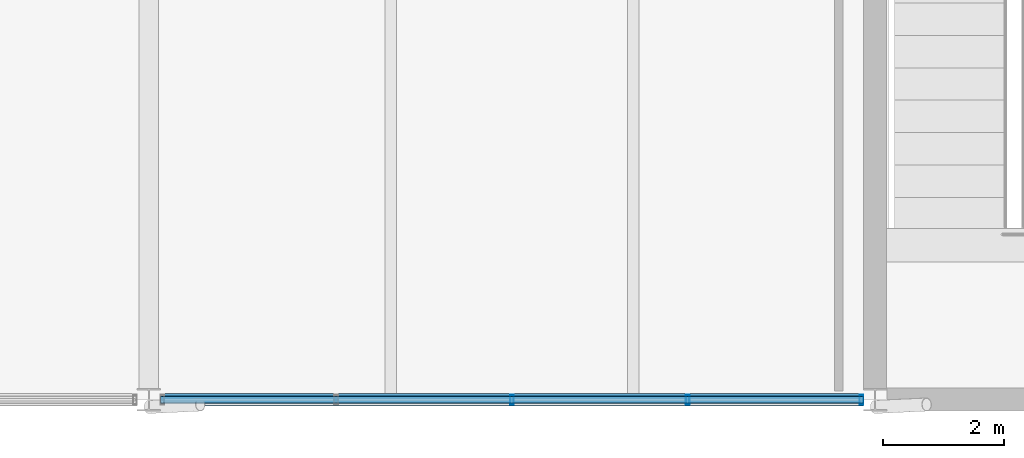
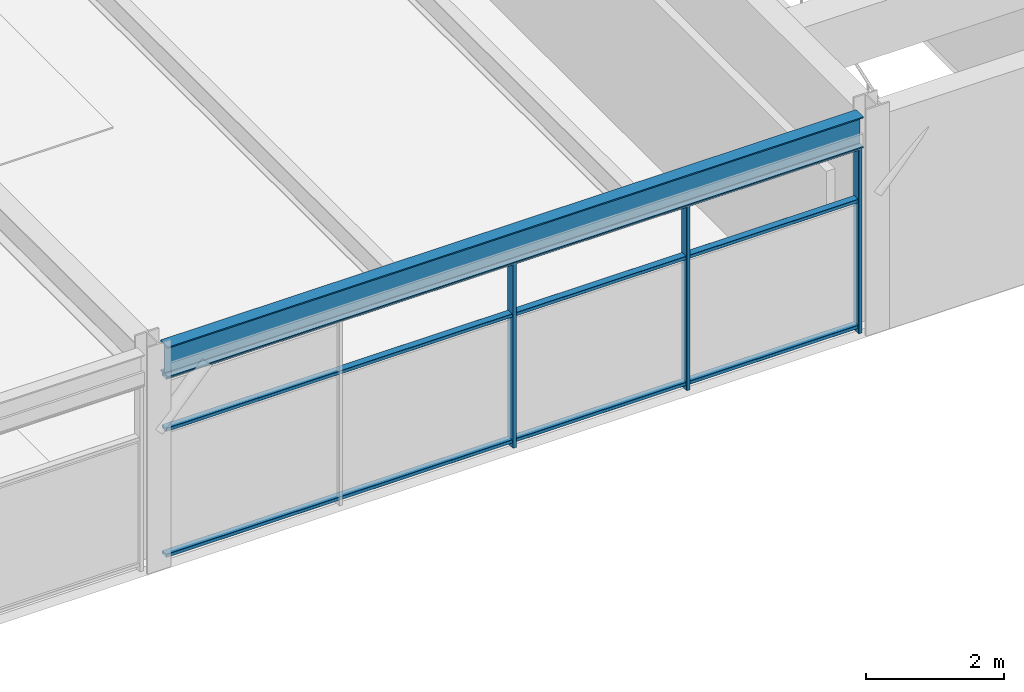
# One storey, part 14 of 51: 6 members, 1 beam, 1 element without a shape of its own.
"""IFC4 building model written with IfcOpenShell, lengths in metres."""

from ifc_helpers import new_model, si_unit, direction, frame, origin, origin_2d, place, context, subcontext, project, spatial, hollow_rectangle, i_section, extrude, material, material_profile, profile_set, type_object, element, aggregate, save


model = new_model("IFC4")

# Units and contexts
model_context = context("Model", 3, precision=1e-05, world=origin(), true_north=direction((0.0, 1.0)))
body_context = subcontext(model_context, "Body", "Model", "MODEL_VIEW")
ifc_project = project(units=[si_unit("LENGTHUNIT", "METRE"), si_unit("AREAUNIT", "SQUARE_METRE"), si_unit("VOLUMEUNIT", "CUBIC_METRE"), si_unit("PLANEANGLEUNIT", "RADIAN"), si_unit("MASSUNIT", "GRAM", prefix="KILO")], contexts=[model_context])

# Site, building, storey
site_placement = place(None, origin())
site = spatial("IfcSite", under=ifc_project, at=site_placement, CompositionType="ELEMENT")
building_placement = place(site_placement, origin())
building = spatial("IfcBuilding", under=site, at=building_placement, Name="Girod Span Mobility Hub", CompositionType="ELEMENT")
storey_placement = place(building_placement, frame((0.0, 0.0, 41.60009765625)))
storey = spatial("IfcBuildingStorey", under=building, at=storey_placement, Name="L10", CompositionType="ELEMENT", Elevation=41.60009765625)

# Beam
ifc_material_1 = material(Name="Steel A992 Grade 50", Category="steel")
ifc_material_profile_1 = material_profile(ifc_material_1, i_section(OverallWidth=0.2119140625, OverallDepth=0.5439453125, WebThickness=0.01318359375, FlangeThickness=0.021240234375, FilletRadius=0.014892578125, at=origin_2d()), Name="W21X83")
ifc_profile_set_1 = profile_set([ifc_material_profile_1], Name="Steel A992 Grade 50")
beam_type = type_object("IfcBeamType", Name="BM-STL-W21X83", PredefinedType="SPANDREL", material=ifc_profile_set_1)
beam_placement = place(storey_placement, frame((60.194091796875, 27.0, 3.552978515625), z_axis=(1.0, 0.0, 0.0), x_axis=(0.0, 1.0, 0.0)))
element("IfcBeam", 1, at=beam_placement, inside=storey, type_object=beam_type, Name="Girder 6-7/C L10", PredefinedType="SPANDREL", context=body_context, shape_type="SweptSolid", body=[
    extrude(i_section(OverallWidth=0.2119140625, OverallDepth=0.5439453125, WebThickness=0.01318359375, FlangeThickness=0.021240234375, FilletRadius=0.014892578125, at=origin_2d()), origin(), (0.0, 0.0, 1.0), 11.61181640625),
])

# Curtain wall, members
ifc_material_2 = material(Name="Thermally Broken Anodised Aluminium", Category="aluminium")
curtain_wall_type = type_object("IfcCurtainWallType", Name="CW-1161X328", PredefinedType="USERDEFINED", material=ifc_material_2)
curtain_wall_placement = place(storey_placement, origin())
curtain_wall = element("IfcCurtainWall", 2, at=curtain_wall_placement, inside=storey, type_object=curtain_wall_type, Name="Unitised Curtain Wall CW-L10-S06 L10", ObjectType="UNITISED CURTAIN WALL", PredefinedType="USERDEFINED")
ifc_material_3 = material(Name="Thermally Broken Anodised Aluminium", Category="aluminium")
ifc_material_profile_2 = material_profile(ifc_material_3, hollow_rectangle(XDim=0.159912109375, YDim=0.06005859375, WallThickness=0.00341796875, InnerFilletRadius=0.00341796875, OuterFilletRadius=0.007080078125, at=origin_2d()), Name="CW-ML-60X160")
ifc_profile_set_2 = profile_set([ifc_material_profile_2], Name="Thermally Broken Anodised Aluminium")
member_type_1 = type_object("IfcMemberType", Name="CWM-ML-3", PredefinedType="MULLION", material=ifc_profile_set_2)
member_1_placement = place(storey_placement, frame((66.0, 27.0, 0.0), z_axis=(0.0, 0.0, 1.0), x_axis=(0.0, 1.0, 0.0)))
member_1 = element("IfcMember", 3, at=member_1_placement, type_object=member_type_1, Name="Curtain Wall Mullion CW-L10-S06-M2", PredefinedType="MULLION", context=body_context, shape_type="SweptSolid", body=[
    extrude(hollow_rectangle(XDim=0.159912109375, YDim=0.06005859375, WallThickness=0.00341796875, InnerFilletRadius=0.00341796875, OuterFilletRadius=0.007080078125, at=origin_2d()), origin(), (0.0, 0.0, 1.0), 3.281005859375),
])
member_2_placement = place(storey_placement, frame((68.902587890625, 27.0, 0.0), z_axis=(0.0, 0.0, 1.0), x_axis=(0.0, 1.0, 0.0)))
member_2 = element("IfcMember", 4, at=member_2_placement, type_object=member_type_1, Name="Curtain Wall Mullion CW-L10-S06-M3", PredefinedType="MULLION", context=body_context, shape_type="SweptSolid", body=[
    extrude(hollow_rectangle(XDim=0.159912109375, YDim=0.06005859375, WallThickness=0.00341796875, InnerFilletRadius=0.00341796875, OuterFilletRadius=0.007080078125, at=origin_2d()), origin(), (0.0, 0.0, 1.0), 3.281005859375),
])
member_3_placement = place(storey_placement, frame((71.77294921875, 27.0, 0.0), z_axis=(0.0, 0.0, 1.0), x_axis=(0.0, 1.0, 0.0)))
member_3 = element("IfcMember", 5, at=member_3_placement, type_object=member_type_1, Name="Curtain Wall Mullion CW-L10-S06-M4", PredefinedType="MULLION", context=body_context, shape_type="SweptSolid", body=[
    extrude(hollow_rectangle(XDim=0.159912109375, YDim=0.06005859375, WallThickness=0.00341796875, InnerFilletRadius=0.00341796875, OuterFilletRadius=0.007080078125, at=origin_2d()), origin(), (0.0, 0.0, 1.0), 3.281005859375),
])
ifc_material_4 = material(Name="Thermally Broken Anodised Aluminium", Category="aluminium")
ifc_material_profile_3 = material_profile(ifc_material_4, hollow_rectangle(XDim=0.1201171875, YDim=0.06005859375, WallThickness=0.00341796875, InnerFilletRadius=0.00341796875, OuterFilletRadius=0.007080078125, at=origin_2d()), Name="CW-TR-60X120")
ifc_profile_set_3 = profile_set([ifc_material_profile_3], Name="Thermally Broken Anodised Aluminium")
member_type_2 = type_object("IfcMemberType", Name="CWM-TR-3", PredefinedType="USERDEFINED", material=ifc_profile_set_3)
member_4_placement = place(storey_placement, frame((60.195068359375, 27.0, 0.10986328125), z_axis=(1.0, 0.0, 0.0), x_axis=(0.0, 1.0, 0.0)))
member_4 = element("IfcMember", 6, at=member_4_placement, type_object=member_type_2, Name="Curtain Wall Transom CW-L10-S06-T1", ObjectType="TRANSOM", PredefinedType="USERDEFINED", context=body_context, shape_type="SweptSolid", body=[
    extrude(hollow_rectangle(XDim=0.1201171875, YDim=0.06005859375, WallThickness=0.00341796875, InnerFilletRadius=0.00341796875, OuterFilletRadius=0.007080078125, at=origin_2d()), origin(), (0.0, 0.0, 1.0), 11.60986328125),
])
member_5_placement = place(storey_placement, frame((60.195068359375, 27.0, 2.332275390625), z_axis=(1.0, 0.0, 0.0), x_axis=(0.0, 1.0, 0.0)))
member_5 = element("IfcMember", 7, at=member_5_placement, type_object=member_type_2, Name="Curtain Wall Transom CW-L10-S06-T2", ObjectType="TRANSOM", PredefinedType="USERDEFINED", context=body_context, shape_type="SweptSolid", body=[
    extrude(hollow_rectangle(XDim=0.1201171875, YDim=0.06005859375, WallThickness=0.00341796875, InnerFilletRadius=0.00341796875, OuterFilletRadius=0.007080078125, at=origin_2d()), origin(), (0.0, 0.0, 1.0), 11.60986328125),
])
member_6_placement = place(storey_placement, frame((60.195068359375, 27.0, 3.2509765625), z_axis=(1.0, 0.0, 0.0), x_axis=(0.0, 1.0, 0.0)))
member_6 = element("IfcMember", 8, at=member_6_placement, type_object=member_type_2, Name="Curtain Wall Transom CW-L10-S06-T3", ObjectType="TRANSOM", PredefinedType="USERDEFINED", context=body_context, shape_type="SweptSolid", body=[
    extrude(hollow_rectangle(XDim=0.1201171875, YDim=0.06005859375, WallThickness=0.00341796875, InnerFilletRadius=0.00341796875, OuterFilletRadius=0.007080078125, at=origin_2d()), origin(), (0.0, 0.0, 1.0), 11.60986328125),
])
aggregate(curtain_wall, [member_1, member_2, member_3, member_4, member_5, member_6])

save(model, "model.ifc")
